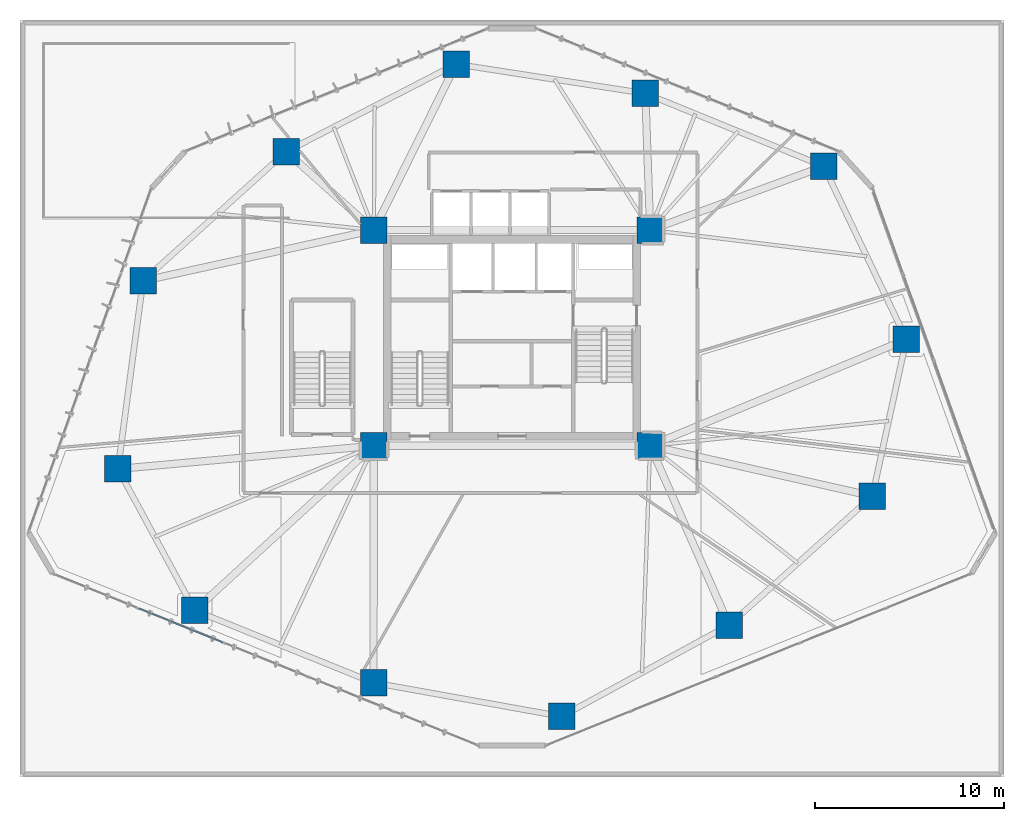
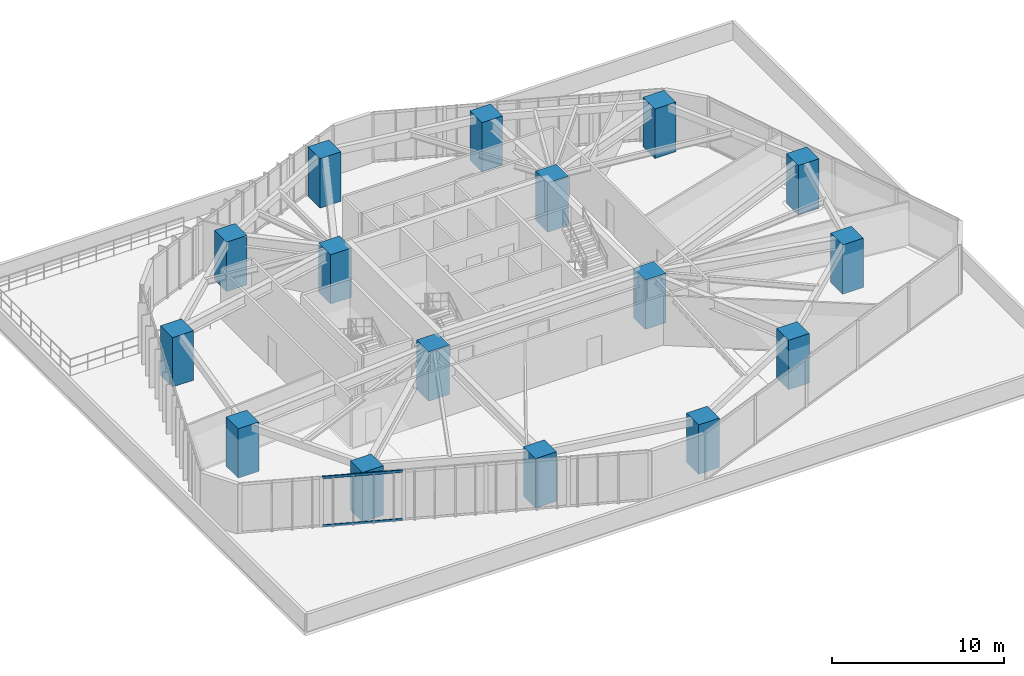
# One storey, part 1 of 23: 16 columns, 2 members, 1 element without a shape of its own.
"""IFC4 building model written with IfcOpenShell, lengths in metres."""

from ifc_helpers import new_model, si_unit, direction, frame, origin, origin_2d, place, context, subcontext, project, spatial, rectangle, hollow_rectangle, extrude, source, transform, mapped, material, layer, layer_set, material_profile, profile_set, type_object, type_shapes, element, aggregate, save


model = new_model("IFC4")

# Units and contexts
model_context = context("Model", 3, precision=1e-05, world=origin(), true_north=direction((0.0, 1.0)))
body_context = subcontext(model_context, "Body", "Model", "MODEL_VIEW")
ifc_project = project(units=[si_unit("LENGTHUNIT", "METRE"), si_unit("AREAUNIT", "SQUARE_METRE"), si_unit("VOLUMEUNIT", "CUBIC_METRE"), si_unit("PLANEANGLEUNIT", "RADIAN"), si_unit("MASSUNIT", "GRAM", prefix="KILO")], contexts=[model_context])

# Site, building, storey
site_placement = place(None, origin())
site = spatial("IfcSite", under=ifc_project, at=site_placement, CompositionType="ELEMENT")
building_placement = place(site_placement, origin())
building = spatial("IfcBuilding", under=site, at=building_placement, Name="Talar Marvaseh", CompositionType="ELEMENT")
storey_placement = place(building_placement, frame((0.0, 0.0, 24.0)))
storey = spatial("IfcBuildingStorey", under=building, at=storey_placement, Name="L05", CompositionType="ELEMENT", Elevation=24.0)

# Columns
ifc_material_1 = material(Name="Concrete C70/85", Category="concrete")
ifc_material_profile_1 = material_profile(ifc_material_1, rectangle(XDim=1.39990234375, YDim=1.39990234375, at=origin_2d()), Name="RC1400x1400")
ifc_profile_set_1 = profile_set([ifc_material_profile_1], Name="Concrete C70/85")
column_type = type_object("IfcColumnType", Name="Zone 1 Tube Column RC1400x1400", PredefinedType="COLUMN", material=ifc_profile_set_1)
for number, where, z_axis, x_axis, name in (
    (1, (42.47705078125, 40.26904296875, 0.0), (0.0, 0.0, 1.0), (1.0, 0.0, 0.0), "L05 Zone 1 Tube Column RC1400x1400"),
    (2, (46.841064453125, 31.118896484375, 0.0), (0.0, 0.0, 1.0), (1.0, 0.0, 0.0), "L05 Zone 1 Tube Column RC1400x1400"),
    (3, (45.0439453125, 22.840087890625, 0.0), (0.0, 0.0, 1.0), (1.0, 0.0, 0.0), "L05 Zone 1 Tube Column RC1400x1400"),
    (4, (37.468017578125, 16.02099609375, 0.0), (0.0, 0.0, 1.0), (1.0, 0.0, 0.0), "L05 Zone 1 Tube Column RC1400x1400"),
    (5, (28.625, 11.195068359375, 0.0), (0.0, 0.0, 1.0), (1.0, 0.0, 0.0), "L05 Zone 1 Tube Column RC1400x1400"),
    (6, (18.68310546875, 12.97900390625, 0.0), (0.0, 0.0, 1.0), (1.0, 0.0, 0.0), "L05 Zone 1 Tube Column RC1400x1400"),
    (7, (9.23193359375, 16.7958984375, 0.0), (0.0, 0.0, 1.0), (1.0, 0.0, 0.0), "L05 Zone 1 Tube Column RC1400x1400"),
    (8, (5.175048828125, 24.27587890625, 0.0), (0.0, 0.0, 1.0), (1.0, 0.0, 0.0), "L05 Zone 1 Tube Column RC1400x1400"),
    (9, (6.501953125, 34.214111328125, 0.0), (0.0, 0.0, 1.0), (1.0, 0.0, 0.0), "L05 Zone 1 Tube Column RC1400x1400"),
    (10, (14.069091796875, 41.04296875, 0.0), (0.0, 0.0, 1.0), (1.0, 0.0, 0.0), "L05 Zone 1 Tube Column RC1400x1400"),
    (11, (23.047119140625, 45.6669921875, 0.0), (0.0, 0.0, 1.0), (1.0, 0.0, 0.0), "L05 Zone 1 Tube Column RC1400x1400"),
    (12, (33.0458984375, 44.117919921875, 0.0), (0.0, 0.0, 1.0), (1.0, 0.0, 0.0), "L05 Zone 1 Tube Column RC1400x1400"),
    (13, (18.699951171875, 25.5, 0.0), (0.0, 0.0, 1.0), (1.0, 0.0, 0.0), "L05 Zone 1 Tube Column RC1400x1400"),
    (14, (33.300048828125, 25.5, 0.0), (0.0, 0.0, 1.0), (1.0, 0.0, 0.0), "L05 Zone 1 Tube Column RC1400x1400"),
    (15, (33.300048828125, 36.89990234375, 0.0), (0.0, 0.0, 1.0), (1.0, 0.0, 0.0), "L05 Zone 1 Tube Column RC1400x1400"),
    (16, (18.699951171875, 36.89990234375, 0.0), (0.0, 0.0, 1.0), (1.0, 0.0, 0.0), "L05 Zone 1 Tube Column RC1400x1400"),
):
    element("IfcColumn", number, at=place(storey_placement, frame(where, z_axis=z_axis, x_axis=x_axis)), inside=storey, type_object=column_type, Name=name, PredefinedType="COLUMN", context=body_context, shape_type="SweptSolid", body=[
        extrude(rectangle(XDim=1.39990234375, YDim=1.39990234375, at=origin_2d()), origin(), (0.0, 0.0, 1.0), 3.52001953125),
    ])

# Curtain wall, members
ifc_material_2 = material(Name="Architectural Aluminium", Category="aluminium")
ifc_layer = layer(ifc_material_2, 0.219970703125)
ifc_layer_set = layer_set([ifc_layer], Name="Architectural Aluminium")
curtain_wall_type = type_object("IfcCurtainWallType", Name="Unitised Low-E Museum Curtain Wall Z1", PredefinedType="NOTDEFINED", material=ifc_layer_set)
curtain_wall_placement = place(storey_placement, origin())
curtain_wall = element("IfcCurtainWall", 17, at=curtain_wall_placement, inside=storey, type_object=curtain_wall_type, Name="L05 Unitised Low-E Museum Curtain Wall Z1", PredefinedType="NOTDEFINED")
ifc_material_profile_2 = material_profile(ifc_material_2, hollow_rectangle(XDim=0.074951171875, YDim=0.179931640625, WallThickness=0.0048828125, at=origin_2d()), Name="RHS180x75x5")
ifc_profile_set_2 = profile_set([ifc_material_profile_2], Name="Architectural Aluminium")
member_type = type_object("IfcMemberType", Name="Unitised Curtain Wall Transom RHS180x75x5", PredefinedType="USERDEFINED", material=ifc_profile_set_2)
shared_shape = source(origin(), body_context, "Body", "SweptSolid", [
    extrude(hollow_rectangle(XDim=0.074951171875, YDim=0.179931640625, WallThickness=0.0048828125, at=origin_2d()), origin(), (0.0, 0.0, 1.0), 4.765380859375),
])
type_shapes(member_type, [shared_shape])
member_1_placement = place(storey_placement, frame((10.694091796875, 15.11669921875, 0.03759765625), z_axis=(-0.927245600038, 0.374453731735, 0.0), x_axis=(-0.374453731735, -0.927245600038, 0.0)))
member_1 = element("IfcMember", 18, at=member_1_placement, type_object=member_type, Name="CW-Z1 transom 4.1", ObjectType="TRANSOM", PredefinedType="USERDEFINED", context=body_context, shape_type="MappedRepresentation", body=[
    mapped(shared_shape, transform((0.0, 0.0, 0.0), x_axis=(1.0, 0.0, 0.0), y_axis=(0.0, 1.0, 0.0), z_axis=(0.0, 0.0, 1.0), scale=1.0)),
])
member_2_placement = place(storey_placement, frame((10.694091796875, 15.11669921875, 3.482421875), z_axis=(-0.927245600038, 0.374453731735, 0.0), x_axis=(-0.374453731735, -0.927245600038, 0.0)))
member_2 = element("IfcMember", 19, at=member_2_placement, type_object=member_type, Name="CW-Z1 transom 4.2", ObjectType="TRANSOM", PredefinedType="USERDEFINED", context=body_context, shape_type="MappedRepresentation", body=[
    mapped(shared_shape, transform((0.0, 0.0, 0.0), x_axis=(1.0, 0.0, 0.0), y_axis=(0.0, 1.0, 0.0), z_axis=(0.0, 0.0, 1.0), scale=1.0)),
])
aggregate(curtain_wall, [member_1, member_2])

save(model, "model.ifc")
